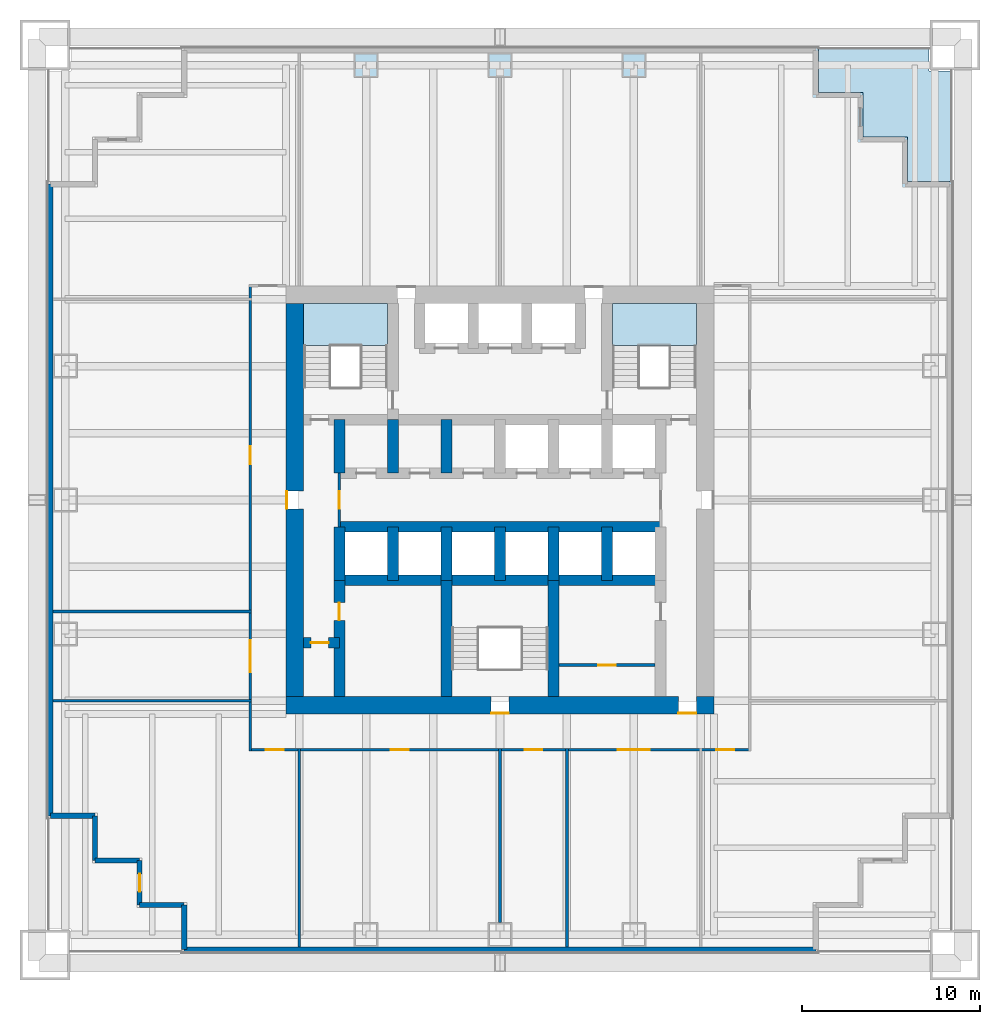
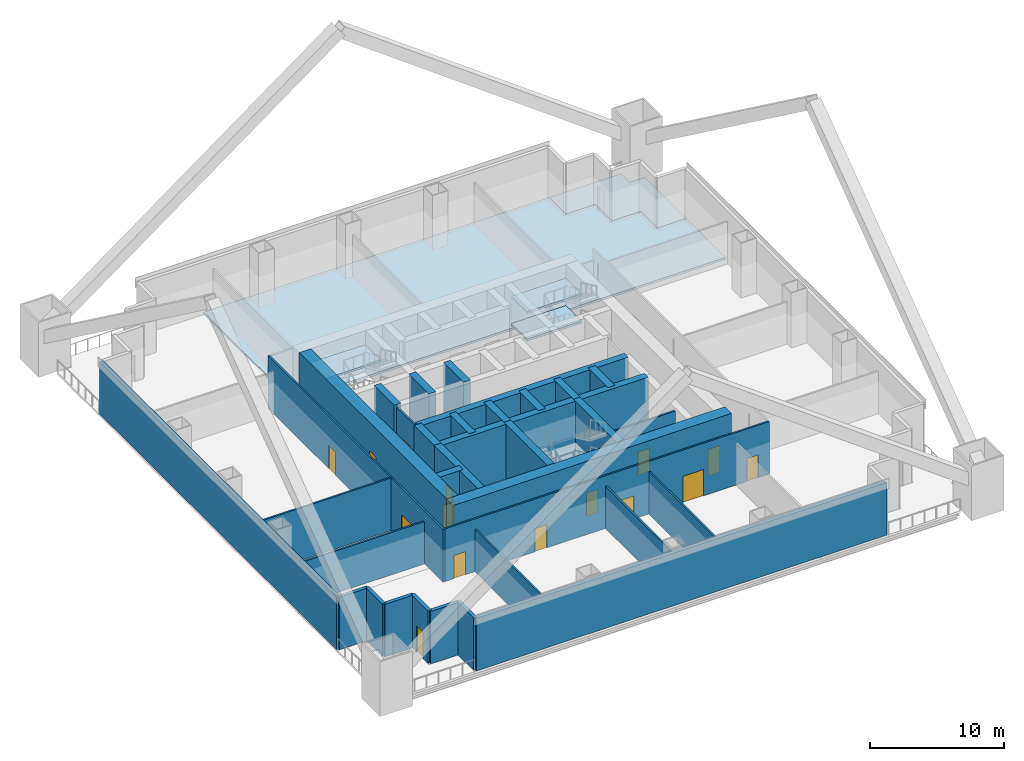
# One storey, part 2 of 6: 34 walls, 15 doors, 5 slabs, 15 openings, 2 elements without a shape of their own.
"""IFC4 building model written with IfcOpenShell, lengths in metres."""

from ifc_helpers import new_model, si_unit, direction, frame, frame_2d, origin, place, context, subcontext, project, spatial, polyline, rectangle, outline, extrude, material, layer, layer_set, type_object, element, fill, aggregate, save


model = new_model("IFC4")

# Units and contexts
model_context = context("Model", 3, precision=1e-05, world=origin(), true_north=direction((0.0, 1.0)))
body_context = subcontext(model_context, "Body", "Model", "MODEL_VIEW")
ifc_project = project(units=[si_unit("LENGTHUNIT", "METRE"), si_unit("AREAUNIT", "SQUARE_METRE"), si_unit("VOLUMEUNIT", "CUBIC_METRE"), si_unit("PLANEANGLEUNIT", "RADIAN"), si_unit("MASSUNIT", "GRAM", prefix="KILO")], contexts=[model_context])

# Site, building, storey
site_placement = place(None, origin())
site = spatial("IfcSite", under=ifc_project, at=site_placement, CompositionType="ELEMENT")
building_placement = place(site_placement, origin())
building = spatial("IfcBuilding", under=site, at=building_placement, Name="Tarangal Relay Tower", CompositionType="ELEMENT")
storey_placement = place(building_placement, frame((0.0, 0.0, 58.39990234375)))
storey = spatial("IfcBuildingStorey", under=building, at=storey_placement, Name="L11", CompositionType="ELEMENT", Elevation=58.39990234375)

# Slab
ifc_material_1 = material(Name="Concrete fc' 35 MPa", Category="concrete")
ifc_layer_1 = layer(ifc_material_1, 0.199951171875)
ifc_layer_set_1 = layer_set([ifc_layer_1], Name="Floor slab 200")
slab_type_1 = type_object("IfcSlabType", Name="Floor slab 200", PredefinedType="FLOOR", material=ifc_layer_set_1)
slab_1_placement = place(storey_placement, frame((0.0, 0.0, -0.199951171875)))
element("IfcSlab", 1, at=slab_1_placement, inside=storey, type_object=slab_type_1, Name="Floor slab FS2 L11 north bay", PredefinedType="FLOOR", context=body_context, shape_type="SweptSolid", body=[
    extrude(outline(polyline([(17.85009765625, 25.35009765625), (17.85009765625, 22.85009765625), (20.35009765625, 22.85009765625), (20.35009765625, 20.35009765625), (22.85009765625, 20.35009765625), (22.85009765625, 17.85009765625), (25.35009765625, 17.85009765625), (25.35009765625, 12.0), (-12.0, 12.0), (-12.0, 25.35009765625), (17.85009765625, 25.35009765625)])), origin(), (0.0, 0.0, 1.0), 0.199951171875),
])

# Stair, slab
ifc_material_2 = material(Name="Steel ASTM A992 stair flight", Category="steel")
stair_type = type_object("IfcStairType", Name="Core stair 1500", PredefinedType="HALF_TURN_STAIR", material=ifc_material_2)
stair_1_placement = place(storey_placement, origin())
stair_1 = element("IfcStair", 2, at=stair_1_placement, inside=storey, type_object=stair_type, Name="Stair ST-A L11", PredefinedType="HALF_TURN_STAIR")
ifc_layer_2 = layer(ifc_material_1, 0.199951171875)
ifc_layer_set_2 = layer_set([ifc_layer_2], Name="Stair landing 200")
slab_type_2 = type_object("IfcSlabType", Name="Stair landing 200", PredefinedType="LANDING", material=ifc_layer_set_2)
slab_2_placement = place(storey_placement, frame((0.0, 0.0, 3.550048828125)))
slab_2 = element("IfcSlab", 3, at=slab_2_placement, type_object=slab_type_2, Name="ST-A landing 4", PredefinedType="LANDING", context=body_context, shape_type="SweptSolid", body=[
    extrude(outline(polyline([(-11.0, 8.64501953125), (-6.300048828125, 8.64501953125), (-6.300048828125, 11.0), (-11.0, 11.0), (-11.0, 8.64501953125)])), origin(), (0.0, 0.0, 1.0), 0.199951171875),
])
aggregate(stair_1, [slab_2])

# Stair, slabs
stair_2_placement = place(storey_placement, origin())
stair_2 = element("IfcStair", 4, at=stair_2_placement, inside=storey, type_object=stair_type, Name="Stair ST-B L11", PredefinedType="HALF_TURN_STAIR")
slab_3_placement = place(storey_placement, frame((0.0, 0.0, 1.050048828125)))
slab_3 = element("IfcSlab", 5, at=slab_3_placement, type_object=slab_type_2, Name="ST-B landing 2", PredefinedType="LANDING", context=body_context, shape_type="SweptSolid", body=[
    extrude(outline(polyline([(6.300048828125, 8.64501953125), (11.0, 8.64501953125), (11.0, 11.0), (6.300048828125, 11.0), (6.300048828125, 8.64501953125)])), origin(), (0.0, 0.0, 1.0), 0.199951171875),
])
slab_4_placement = place(storey_placement, frame((0.0, 0.0, 3.550048828125)))
slab_4 = element("IfcSlab", 6, at=slab_4_placement, type_object=slab_type_2, Name="ST-B landing 4", PredefinedType="LANDING", context=body_context, shape_type="SweptSolid", body=[
    extrude(outline(polyline([(6.300048828125, 8.64501953125), (11.0, 8.64501953125), (11.0, 11.0), (6.300048828125, 11.0), (6.300048828125, 8.64501953125)])), origin(), (0.0, 0.0, 1.0), 0.199951171875),
])
aggregate(stair_2, [slab_3, slab_4])

# Slab
ifc_layer_3 = layer(ifc_material_1, 0.199951171875)
ifc_layer_set_3 = layer_set([ifc_layer_3], Name="Terrace slab 200")
slab_type_3 = type_object("IfcSlabType", Name="Terrace slab 200", PredefinedType="FLOOR", material=ifc_layer_set_3)
slab_5_placement = place(storey_placement, frame((0.0, 0.0, -0.199951171875)))
element("IfcSlab", 7, at=slab_5_placement, inside=storey, type_object=slab_type_3, Name="Corner terrace NE L11", PredefinedType="FLOOR", context=body_context, shape_type="SweptSolid", body=[
    extrude(outline(polyline([(17.85009765625, 25.35009765625), (17.85009765625, 22.85009765625), (20.35009765625, 22.85009765625), (20.35009765625, 20.35009765625), (22.85009765625, 20.35009765625), (22.85009765625, 17.85009765625), (25.35009765625, 17.85009765625), (25.35009765625, 24.050048828125), (24.050048828125, 24.050048828125), (24.050048828125, 25.35009765625), (17.85009765625, 25.35009765625)])), origin(), (0.0, 0.0, 1.0), 0.199951171875),
])

# Walls
ifc_material_3 = material(Name="Concrete fc' 60 MPa", Category="concrete")
ifc_layer_4 = layer(ifc_material_3, 0.60009765625)
ifc_layer_set_4 = layer_set([ifc_layer_4], Name="Core inner wall 600")
wall_type_1 = type_object("IfcWallType", Name="Core inner wall 600", PredefinedType="SHEAR", material=ifc_layer_set_4)
for number, where, z_axis, x_axis, name in (
    (8, (-9.0, -1.5, 0.0), (0.0, 0.0, 1.0), (1.0, 0.0, 0.0), "Core wall YM15 L11"),
    (9, (-9.0, -4.5, 0.0), (0.0, 0.0, 1.0), (1.0, 0.0, 0.0), "Core wall YM45 L11"),
):
    element("IfcWall", number, at=place(storey_placement, frame(where, z_axis=z_axis, x_axis=x_axis)), inside=storey, type_object=wall_type_1, Name=name, PredefinedType="SHEAR", context=body_context, shape_type="SweptSolid", body=[
        extrude(rectangle(XDim=18.0, YDim=0.60009765625, at=frame_2d((9.0, 0.0))), origin(), (0.0, 0.0, 1.0), 5.0),
    ])

# Wall, opening, door
wall_1_placement = place(storey_placement, frame((-11.0, -8.0, 0.0), z_axis=(0.0, 0.0, 1.0), x_axis=(1.0, 0.0, 0.0)))
wall_1 = element("IfcWall", 10, at=wall_1_placement, inside=storey, type_object=wall_type_1, Name="Core wall YM8 L11", PredefinedType="SHEAR", context=body_context, shape_type="SweptSolid", body=[
    extrude(rectangle(XDim=2.0, YDim=0.60009765625, at=frame_2d((1.0, 0.0))), origin(), (0.0, 0.0, 1.0), 5.0),
])
opening_1_placement = place(wall_1_placement, frame((0.39990234375, 0.0, 0.0)))
opening_1 = element("IfcOpeningElement", 11, at=opening_1_placement, cuts=wall_1, Name="Opening D1", PredefinedType="OPENING", context=body_context, shape_type="SweptSolid", body=[
    extrude(rectangle(XDim=1.0, YDim=2.10009765625, at=frame_2d((0.5, 1.050048828125))), frame((0.0, 0.31005859375, 0.0), z_axis=(0.0, -1.0, 0.0), x_axis=(1.0, 0.0, 0.0)), (0.0, 0.0, 1.0), 0.6201171875),
])
ifc_material_4 = material(Name="Hardwood door", Category="wood")
door_type_1 = type_object("IfcDoorType", Name="WC door 1000 x 2100", OperationType="SINGLE_SWING_LEFT", PredefinedType="DOOR", material=ifc_material_4)
door_1_placement = place(opening_1_placement, origin())
door_1 = element("IfcDoor", 12, at=door_1_placement, inside=storey, type_object=door_type_1, Name="Accessible WC door L11", OperationType="SINGLE_SWING_LEFT", OverallHeight=2.10009765625, OverallWidth=1.0, PredefinedType="DOOR", context=body_context, shape_type="SweptSolid", body=[
    extrude(rectangle(XDim=1.0, YDim=2.10009765625, at=frame_2d((0.5, 1.050048828125))), frame((0.0, 0.02490234375, 0.0), z_axis=(0.0, -1.0, 0.0), x_axis=(1.0, 0.0, 0.0)), (0.0, 0.0, 1.0), 0.050048828125),
])
fill(opening_1, door_1)

# Walls
for number, where, z_axis, x_axis, name in (
    (13, (-9.0, 1.5, 0.0), (0.0, 0.0, 1.0), (0.0, 1.0, 0.0), "Core wall XM9N L11"),
    (14, (-9.0, -4.5, 0.0), (0.0, 0.0, 1.0), (0.0, 1.0, 0.0), "Core wall XM9S L11"),
    (15, (-6.0, 1.5, 0.0), (0.0, 0.0, 1.0), (0.0, 1.0, 0.0), "Core wall XM6N L11"),
    (16, (-3.0, 1.5, 0.0), (0.0, 0.0, 1.0), (0.0, 1.0, 0.0), "Core wall XM3N L11"),
    (17, (-6.0, -4.5, 0.0), (0.0, 0.0, 1.0), (0.0, 1.0, 0.0), "Core wall XM6S L11"),
    (18, (-3.0, -4.5, 0.0), (0.0, 0.0, 1.0), (0.0, 1.0, 0.0), "Core wall XM3S L11"),
    (19, (0.0, -4.5, 0.0), (0.0, 0.0, 1.0), (0.0, 1.0, 0.0), "Core wall X0S L11"),
    (20, (3.0, -4.5, 0.0), (0.0, 0.0, 1.0), (0.0, 1.0, 0.0), "Core wall X3S L11"),
    (21, (6.0, -4.5, 0.0), (0.0, 0.0, 1.0), (0.0, 1.0, 0.0), "Core wall X6S L11"),
):
    element("IfcWall", number, at=place(storey_placement, frame(where, z_axis=z_axis, x_axis=x_axis)), inside=storey, type_object=wall_type_1, Name=name, PredefinedType="SHEAR", context=body_context, shape_type="SweptSolid", body=[
        extrude(rectangle(XDim=3.0, YDim=0.60009765625, at=frame_2d((1.5, 0.0))), origin(), (0.0, 0.0, 1.0), 5.0),
    ])

# Wall, opening, door
wall_2_placement = place(storey_placement, frame((-9.0, -11.0, 0.0), z_axis=(0.0, 0.0, 1.0), x_axis=(0.0, 1.0, 0.0)))
wall_2 = element("IfcWall", 22, at=wall_2_placement, inside=storey, type_object=wall_type_1, Name="Core wall XM9W L11", PredefinedType="SHEAR", context=body_context, shape_type="SweptSolid", body=[
    extrude(rectangle(XDim=6.5, YDim=0.60009765625, at=frame_2d((3.25, 0.0))), origin(), (0.0, 0.0, 1.0), 5.0),
])
opening_2_placement = place(wall_2_placement, frame((4.25, 0.0, 0.0)))
opening_2 = element("IfcOpeningElement", 23, at=opening_2_placement, cuts=wall_2, Name="Opening D1", PredefinedType="OPENING", context=body_context, shape_type="SweptSolid", body=[
    extrude(rectangle(XDim=1.0, YDim=2.10009765625, at=frame_2d((0.5, 1.050048828125))), frame((0.0, 0.31005859375, 0.0), z_axis=(0.0, -1.0, 0.0), x_axis=(1.0, 0.0, 0.0)), (0.0, 0.0, 1.0), 0.6201171875),
])
door_2_placement = place(opening_2_placement, origin())
door_2 = element("IfcDoor", 24, at=door_2_placement, inside=storey, type_object=door_type_1, Name="Male WC door L11", OperationType="SINGLE_SWING_LEFT", OverallHeight=2.10009765625, OverallWidth=1.0, PredefinedType="DOOR", context=body_context, shape_type="SweptSolid", body=[
    extrude(rectangle(XDim=1.0, YDim=2.10009765625, at=frame_2d((0.5, 1.050048828125))), frame((0.0, 0.02490234375, 0.0), z_axis=(0.0, -1.0, 0.0), x_axis=(1.0, 0.0, 0.0)), (0.0, 0.0, 1.0), 0.050048828125),
])
fill(opening_2, door_2)

# Walls
for number, where, z_axis, x_axis, name in (
    (25, (-3.0, -11.0, 0.0), (0.0, 0.0, 1.0), (0.0, 1.0, 0.0), "Core wall XM3W L11"),
    (26, (3.0, -11.0, 0.0), (0.0, 0.0, 1.0), (0.0, 1.0, 0.0), "Core wall X3W L11"),
):
    element("IfcWall", number, at=place(storey_placement, frame(where, z_axis=z_axis, x_axis=x_axis)), inside=storey, type_object=wall_type_1, Name=name, PredefinedType="SHEAR", context=body_context, shape_type="SweptSolid", body=[
        extrude(rectangle(XDim=6.5, YDim=0.60009765625, at=frame_2d((3.25, 0.0))), origin(), (0.0, 0.0, 1.0), 5.0),
    ])

# Wall, openings, doors
ifc_layer_5 = layer(ifc_material_3, 1.0)
ifc_layer_set_5 = layer_set([ifc_layer_5], Name="Core wall 1000")
wall_type_2 = type_object("IfcWallType", Name="Core wall 1000", PredefinedType="SHEAR", material=ifc_layer_set_5)
wall_3_placement = place(storey_placement, frame((12.0, -11.5, 0.0), z_axis=(0.0, 0.0, 1.0), x_axis=(-1.0, 0.0, 0.0)))
wall_3 = element("IfcWall", 27, at=wall_3_placement, inside=storey, type_object=wall_type_2, Name="Core wall S L11", PredefinedType="SHEAR", context=body_context, shape_type="SweptSolid", body=[
    extrude(rectangle(XDim=24.0, YDim=1.0, at=frame_2d((12.0, 0.0))), origin(), (0.0, 0.0, 1.0), 5.0),
])
opening_3_placement = place(wall_3_placement, frame((11.5, 0.0, 0.0)))
opening_3 = element("IfcOpeningElement", 28, at=opening_3_placement, cuts=wall_3, Name="Opening FD1", PredefinedType="OPENING", context=body_context, shape_type="SweptSolid", body=[
    extrude(rectangle(XDim=1.0, YDim=2.10009765625, at=frame_2d((0.5, 1.050048828125))), frame((0.0, 0.510009765625, 0.0), z_axis=(0.0, -1.0, 0.0), x_axis=(1.0, 0.0, 0.0)), (0.0, 0.0, 1.0), 1.02001953125),
])
opening_4_placement = place(wall_3_placement, frame((1.0, 0.0, 0.0)))
opening_4 = element("IfcOpeningElement", 29, at=opening_4_placement, cuts=wall_3, Name="Opening FD3", PredefinedType="OPENING", context=body_context, shape_type="SweptSolid", body=[
    extrude(rectangle(XDim=1.0, YDim=2.39990234375, at=frame_2d((0.5, 1.199951171875))), frame((0.0, 0.510009765625, 0.0), z_axis=(0.0, -1.0, 0.0), x_axis=(1.0, 0.0, 0.0)), (0.0, 0.0, 1.0), 1.02001953125),
])
ifc_material_5 = material(Name="Steel door with hardwood frame", Category="steel")
door_type_2 = type_object("IfcDoorType", Name="Fire door 1000 x 2100", OperationType="SINGLE_SWING_LEFT", PredefinedType="DOOR", material=ifc_material_5)
door_3_placement = place(opening_3_placement, origin())
door_3 = element("IfcDoor", 30, at=door_3_placement, inside=storey, type_object=door_type_2, Name="Stair ST-C door L11", OperationType="SINGLE_SWING_LEFT", OverallHeight=2.10009765625, OverallWidth=1.0, PredefinedType="DOOR", context=body_context, shape_type="SweptSolid", body=[
    extrude(rectangle(XDim=1.0, YDim=2.10009765625, at=frame_2d((0.5, 1.050048828125))), frame((0.0, 0.48486328125, 0.0), z_axis=(0.0, -1.0, 0.0), x_axis=(1.0, 0.0, 0.0)), (0.0, 0.0, 1.0), 0.050048828125),
])
fill(opening_3, door_3)
door_type_3 = type_object("IfcDoorType", Name="Fire door 1000 x 2400 core entry", OperationType="SINGLE_SWING_RIGHT", PredefinedType="DOOR", material=ifc_material_5)
door_4_placement = place(opening_4_placement, origin())
door_4 = element("IfcDoor", 31, at=door_4_placement, inside=storey, type_object=door_type_3, Name="Core entry door south east L11", OperationType="SINGLE_SWING_RIGHT", OverallHeight=2.39990234375, OverallWidth=1.0, PredefinedType="DOOR", context=body_context, shape_type="SweptSolid", body=[
    extrude(rectangle(XDim=1.0, YDim=2.39990234375, at=frame_2d((0.5, 1.199951171875))), frame((0.0, 0.48486328125, 0.0), z_axis=(0.0, -1.0, 0.0), x_axis=(1.0, 0.0, 0.0)), (0.0, 0.0, 1.0), 0.050048828125),
])
fill(opening_4, door_4)

# Wall, opening, door
wall_4_placement = place(storey_placement, frame((-11.5, -11.0, 0.0), z_axis=(0.0, 0.0, 1.0), x_axis=(0.0, 1.0, 0.0)))
wall_4 = element("IfcWall", 32, at=wall_4_placement, inside=storey, type_object=wall_type_2, Name="Core wall W L11", PredefinedType="SHEAR", context=body_context, shape_type="SweptSolid", body=[
    extrude(rectangle(XDim=22.0, YDim=1.0, at=frame_2d((11.0, 0.0))), origin(), (0.0, 0.0, 1.0), 5.0),
])
opening_5_placement = place(wall_4_placement, frame((10.5, 0.0, 0.0)))
opening_5 = element("IfcOpeningElement", 33, at=opening_5_placement, cuts=wall_4, Name="Opening FD3", PredefinedType="OPENING", context=body_context, shape_type="SweptSolid", body=[
    extrude(rectangle(XDim=1.0, YDim=2.39990234375, at=frame_2d((0.5, 1.199951171875))), frame((0.0, 0.510009765625, 0.0), z_axis=(0.0, -1.0, 0.0), x_axis=(1.0, 0.0, 0.0)), (0.0, 0.0, 1.0), 1.02001953125),
])
door_5_placement = place(opening_5_placement, origin())
door_5 = element("IfcDoor", 34, at=door_5_placement, inside=storey, type_object=door_type_3, Name="Core entry door west L11", OperationType="SINGLE_SWING_RIGHT", OverallHeight=2.39990234375, OverallWidth=1.0, PredefinedType="DOOR", context=body_context, shape_type="SweptSolid", body=[
    extrude(rectangle(XDim=1.0, YDim=2.39990234375, at=frame_2d((0.5, 1.199951171875))), frame((0.0, 0.48486328125, 0.0), z_axis=(0.0, -1.0, 0.0), x_axis=(1.0, 0.0, 0.0)), (0.0, 0.0, 1.0), 0.050048828125),
])
fill(opening_5, door_5)

# Walls
ifc_material_6 = material(Name="Insulated precast concrete fc' 40 MPa", Category="concrete")
ifc_layer_6 = layer(ifc_material_6, 0.300048828125)
ifc_layer_set_6 = layer_set([ifc_layer_6], Name="Insulated precast concrete fc' 40 MPa")
wall_type_3 = type_object("IfcWallType", Name="Facade wall precast 300", PredefinedType="SOLIDWALL", material=ifc_layer_set_6)
wall_5_placement = place(storey_placement, frame((17.699951171875, -25.199951171875, 0.0), z_axis=(0.0, 0.0, 1.0), x_axis=(-1.0, 0.0, 0.0)))
element("IfcWall", 35, at=wall_5_placement, inside=storey, type_object=wall_type_3, Name="Facade wall S facade L11", PredefinedType="SOLIDWALL", context=body_context, shape_type="SweptSolid", body=[
    extrude(rectangle(XDim=35.39990234375, YDim=0.300048828125, at=frame_2d((17.699951171875, 0.0))), origin(), (0.0, 0.0, 1.0), 4.800048828125),
])
for number, where, z_axis, x_axis, name in (
    (36, (-17.699951171875, -25.199951171875, 0.0), (0.0, 0.0, 1.0), (0.0, 1.0, 0.0), "Facade wall S facade L11"),
    (37, (-17.699951171875, -22.699951171875, 0.0), (0.0, 0.0, 1.0), (-1.0, 0.0, 0.0), "Facade wall S facade L11"),
):
    element("IfcWall", number, at=place(storey_placement, frame(where, z_axis=z_axis, x_axis=x_axis)), inside=storey, type_object=wall_type_3, Name=name, PredefinedType="SOLIDWALL", context=body_context, shape_type="SweptSolid", body=[
        extrude(rectangle(XDim=2.5, YDim=0.300048828125, at=frame_2d((1.25, 0.0))), origin(), (0.0, 0.0, 1.0), 4.800048828125),
    ])

# Wall, opening, door
wall_6_placement = place(storey_placement, frame((-20.199951171875, -22.699951171875, 0.0), z_axis=(0.0, 0.0, 1.0), x_axis=(0.0, 1.0, 0.0)))
wall_6 = element("IfcWall", 38, at=wall_6_placement, inside=storey, type_object=wall_type_3, Name="Facade wall S facade L11", PredefinedType="SOLIDWALL", context=body_context, shape_type="SweptSolid", body=[
    extrude(rectangle(XDim=2.5, YDim=0.300048828125, at=frame_2d((1.25, 0.0))), origin(), (0.0, 0.0, 1.0), 4.800048828125),
])
opening_6_placement = place(wall_6_placement, frame((0.75, 0.0, 0.0)))
opening_6 = element("IfcOpeningElement", 39, at=opening_6_placement, cuts=wall_6, Name="Opening TD1", PredefinedType="OPENING", context=body_context, shape_type="SweptSolid", body=[
    extrude(rectangle(XDim=1.0, YDim=2.39990234375, at=frame_2d((0.5, 1.199951171875))), frame((0.0, 0.159912109375, 0.0), z_axis=(0.0, -1.0, 0.0), x_axis=(1.0, 0.0, 0.0)), (0.0, 0.0, 1.0), 0.320068359375),
])
ifc_material_7 = material(Name="Aluminium glazed door", Category="aluminium")
door_type_4 = type_object("IfcDoorType", Name="Terrace door 1000 x 2400", OperationType="SINGLE_SWING_RIGHT", PredefinedType="DOOR", material=ifc_material_7)
door_6_placement = place(opening_6_placement, origin())
door_6 = element("IfcDoor", 40, at=door_6_placement, inside=storey, type_object=door_type_4, Name="Terrace door TD1 SW L11", OperationType="SINGLE_SWING_RIGHT", OverallHeight=2.39990234375, OverallWidth=1.0, PredefinedType="DOOR", context=body_context, shape_type="SweptSolid", body=[
    extrude(rectangle(XDim=1.0, YDim=2.39990234375, at=frame_2d((0.5, 1.199951171875))), frame((0.0, 0.02490234375, 0.0), z_axis=(0.0, -1.0, 0.0), x_axis=(1.0, 0.0, 0.0)), (0.0, 0.0, 1.0), 0.050048828125),
])
fill(opening_6, door_6)

# Walls
for number, where, z_axis, x_axis, name in (
    (41, (-20.199951171875, -20.199951171875, 0.0), (0.0, 0.0, 1.0), (-1.0, 0.0, 0.0), "Facade wall S facade L11"),
    (42, (-22.699951171875, -20.199951171875, 0.0), (0.0, 0.0, 1.0), (0.0, 1.0, 0.0), "Facade wall S facade L11"),
    (43, (-22.699951171875, -17.699951171875, 0.0), (0.0, 0.0, 1.0), (-1.0, 0.0, 0.0), "Facade wall S facade L11"),
):
    element("IfcWall", number, at=place(storey_placement, frame(where, z_axis=z_axis, x_axis=x_axis)), inside=storey, type_object=wall_type_3, Name=name, PredefinedType="SOLIDWALL", context=body_context, shape_type="SweptSolid", body=[
        extrude(rectangle(XDim=2.5, YDim=0.300048828125, at=frame_2d((1.25, 0.0))), origin(), (0.0, 0.0, 1.0), 4.800048828125),
    ])
wall_7_placement = place(storey_placement, frame((-25.199951171875, -17.699951171875, 0.0), z_axis=(0.0, 0.0, 1.0), x_axis=(0.0, 1.0, 0.0)))
element("IfcWall", 44, at=wall_7_placement, inside=storey, type_object=wall_type_3, Name="Facade wall W facade L11", PredefinedType="SOLIDWALL", context=body_context, shape_type="SweptSolid", body=[
    extrude(rectangle(XDim=35.39990234375, YDim=0.300048828125, at=frame_2d((17.699951171875, 0.0))), origin(), (0.0, 0.0, 1.0), 4.800048828125),
])

# Wall, openings, doors
ifc_material_8 = material(Name="Gypsum board on steel studs", Category="steel")
ifc_layer_7 = layer(ifc_material_8, 0.14990234375)
ifc_layer_set_7 = layer_set([ifc_layer_7], Name="Partition 150")
wall_type_4 = type_object("IfcWallType", Name="Partition 150", PredefinedType="PARTITIONING", material=ifc_layer_set_7)
wall_8_placement = place(storey_placement, frame((-14.074951171875, -14.0, 0.0), z_axis=(0.0, 0.0, 1.0), x_axis=(1.0, 0.0, 0.0)))
wall_8 = element("IfcWall", 45, at=wall_8_placement, inside=storey, type_object=wall_type_4, Name="Partition PT1 L11", PredefinedType="PARTITIONING", context=body_context, shape_type="SweptSolid", body=[
    extrude(rectangle(XDim=28.14990234375, YDim=0.14990234375, at=frame_2d((14.074951171875, 0.0))), origin(), (0.0, 0.0, 1.0), 4.800048828125),
])
opening_7_placement = place(wall_8_placement, frame((20.675048828125, 0.0, 0.0)))
opening_7 = element("IfcOpeningElement", 46, at=opening_7_placement, cuts=wall_8, Name="Opening DD1", PredefinedType="OPENING", context=body_context, shape_type="SweptSolid", body=[
    extrude(rectangle(XDim=1.800048828125, YDim=2.39990234375, at=frame_2d((0.89990234375, 1.199951171875))), frame((0.0, 0.0849609375, 0.0), z_axis=(0.0, -1.0, 0.0), x_axis=(1.0, 0.0, 0.0)), (0.0, 0.0, 1.0), 0.169921875),
])
opening_8_placement = place(wall_8_placement, frame((15.449951171875, 0.0, 0.0)))
opening_8 = element("IfcOpeningElement", 47, at=opening_8_placement, cuts=wall_8, Name="Opening D2", PredefinedType="OPENING", context=body_context, shape_type="SweptSolid", body=[
    extrude(rectangle(XDim=1.0, YDim=2.10009765625, at=frame_2d((0.5, 1.050048828125))), frame((0.0, 0.0849609375, 0.0), z_axis=(0.0, -1.0, 0.0), x_axis=(1.0, 0.0, 0.0)), (0.0, 0.0, 1.0), 0.169921875),
])
opening_9_placement = place(wall_8_placement, frame((7.949951171875, 0.0, 0.0)))
opening_9 = element("IfcOpeningElement", 48, at=opening_9_placement, cuts=wall_8, Name="Opening D2", PredefinedType="OPENING", context=body_context, shape_type="SweptSolid", body=[
    extrude(rectangle(XDim=1.0, YDim=2.10009765625, at=frame_2d((0.5, 1.050048828125))), frame((0.0, 0.0849609375, 0.0), z_axis=(0.0, -1.0, 0.0), x_axis=(1.0, 0.0, 0.0)), (0.0, 0.0, 1.0), 0.169921875),
])
opening_10_placement = place(wall_8_placement, frame((26.199951171875, 0.0, 0.0)))
opening_10 = element("IfcOpeningElement", 49, at=opening_10_placement, cuts=wall_8, Name="Opening D2", PredefinedType="OPENING", context=body_context, shape_type="SweptSolid", body=[
    extrude(rectangle(XDim=1.0, YDim=2.10009765625, at=frame_2d((0.5, 1.050048828125))), frame((0.0, 0.0849609375, 0.0), z_axis=(0.0, -1.0, 0.0), x_axis=(1.0, 0.0, 0.0)), (0.0, 0.0, 1.0), 0.169921875),
])
opening_11_placement = place(wall_8_placement, frame((0.949951171875, 0.0, 0.0)))
opening_11 = element("IfcOpeningElement", 50, at=opening_11_placement, cuts=wall_8, Name="Opening D2", PredefinedType="OPENING", context=body_context, shape_type="SweptSolid", body=[
    extrude(rectangle(XDim=1.0, YDim=2.10009765625, at=frame_2d((0.5, 1.050048828125))), frame((0.0, 0.0849609375, 0.0), z_axis=(0.0, -1.0, 0.0), x_axis=(1.0, 0.0, 0.0)), (0.0, 0.0, 1.0), 0.169921875),
])
door_type_5 = type_object("IfcDoorType", Name="Door 1000 x 2100", OperationType="SINGLE_SWING_LEFT", PredefinedType="DOOR", material=ifc_material_4)
door_7_placement = place(opening_8_placement, origin())
door_7 = element("IfcDoor", 51, at=door_7_placement, inside=storey, type_object=door_type_5, Name="Door D2 to customer meeting room L11-07", OperationType="SINGLE_SWING_LEFT", OverallHeight=2.10009765625, OverallWidth=1.0, PredefinedType="DOOR", context=body_context, shape_type="SweptSolid", body=[
    extrude(rectangle(XDim=1.0, YDim=2.10009765625, at=frame_2d((0.5, 1.050048828125))), frame((0.0, 0.02490234375, 0.0), z_axis=(0.0, -1.0, 0.0), x_axis=(1.0, 0.0, 0.0)), (0.0, 0.0, 1.0), 0.050048828125),
])
fill(opening_8, door_7)
door_8_placement = place(opening_9_placement, origin())
door_8 = element("IfcDoor", 52, at=door_8_placement, inside=storey, type_object=door_type_5, Name="Door D2 to customer build and test room L11-08", OperationType="SINGLE_SWING_LEFT", OverallHeight=2.10009765625, OverallWidth=1.0, PredefinedType="DOOR", context=body_context, shape_type="SweptSolid", body=[
    extrude(rectangle(XDim=1.0, YDim=2.10009765625, at=frame_2d((0.5, 1.050048828125))), frame((0.0, 0.02490234375, 0.0), z_axis=(0.0, -1.0, 0.0), x_axis=(1.0, 0.0, 0.0)), (0.0, 0.0, 1.0), 0.050048828125),
])
fill(opening_9, door_8)
door_9_placement = place(opening_10_placement, origin())
door_9 = element("IfcDoor", 53, at=door_9_placement, inside=storey, type_object=door_type_5, Name="Door D2 to engineering office L11-12", OperationType="SINGLE_SWING_LEFT", OverallHeight=2.10009765625, OverallWidth=1.0, PredefinedType="DOOR", context=body_context, shape_type="SweptSolid", body=[
    extrude(rectangle(XDim=1.0, YDim=2.10009765625, at=frame_2d((0.5, 1.050048828125))), frame((0.0, 0.02490234375, 0.0), z_axis=(0.0, -1.0, 0.0), x_axis=(1.0, 0.0, 0.0)), (0.0, 0.0, 1.0), 0.050048828125),
])
fill(opening_10, door_9)
door_10_placement = place(opening_11_placement, origin())
door_10 = element("IfcDoor", 54, at=door_10_placement, inside=storey, type_object=door_type_5, Name="Door D2 to security office L11-13", OperationType="SINGLE_SWING_LEFT", OverallHeight=2.10009765625, OverallWidth=1.0, PredefinedType="DOOR", context=body_context, shape_type="SweptSolid", body=[
    extrude(rectangle(XDim=1.0, YDim=2.10009765625, at=frame_2d((0.5, 1.050048828125))), frame((0.0, 0.02490234375, 0.0), z_axis=(0.0, -1.0, 0.0), x_axis=(1.0, 0.0, 0.0)), (0.0, 0.0, 1.0), 0.050048828125),
])
fill(opening_11, door_10)
door_type_6 = type_object("IfcDoorType", Name="Equipment double door 1800 x 2400", OperationType="DOUBLE_DOOR_SINGLE_SWING", PredefinedType="DOOR", material=ifc_material_5)
door_11_placement = place(opening_7_placement, origin())
door_11 = element("IfcDoor", 55, at=door_11_placement, inside=storey, type_object=door_type_6, Name="Door DD1 to electrical room L11-06", OperationType="DOUBLE_DOOR_SINGLE_SWING", OverallHeight=2.39990234375, OverallWidth=1.800048828125, PredefinedType="DOOR", context=body_context, shape_type="SweptSolid", body=[
    extrude(rectangle(XDim=1.800048828125, YDim=2.39990234375, at=frame_2d((0.89990234375, 1.199951171875))), frame((0.0, 0.02490234375, 0.0), z_axis=(0.0, -1.0, 0.0), x_axis=(1.0, 0.0, 0.0)), (0.0, 0.0, 1.0), 0.050048828125),
])
fill(opening_7, door_11)

# Walls
wall_9_placement = place(storey_placement, frame((-25.050048828125, -11.25, 0.0), z_axis=(0.0, 0.0, 1.0), x_axis=(1.0, 0.0, 0.0)))
element("IfcWall", 56, at=wall_9_placement, inside=storey, type_object=wall_type_4, Name="Partition PT1 L11", PredefinedType="PARTITIONING", context=body_context, shape_type="SweptSolid", body=[
    extrude(rectangle(XDim=11.125, YDim=0.14990234375, at=frame_2d((5.5625, 0.0))), origin(), (0.0, 0.0, 1.0), 3.852783203125),
])
wall_10_placement = place(storey_placement, frame((-25.050048828125, -6.25, 0.0), z_axis=(0.0, 0.0, 1.0), x_axis=(1.0, 0.0, 0.0)))
element("IfcWall", 57, at=wall_10_placement, inside=storey, type_object=wall_type_4, Name="Partition PT1 L11", PredefinedType="PARTITIONING", context=body_context, shape_type="SweptSolid", body=[
    extrude(rectangle(XDim=11.125, YDim=0.14990234375, at=frame_2d((5.5625, 0.0))), origin(), (0.0, 0.0, 1.0), 4.800048828125),
])

# Wall, openings, doors
wall_11_placement = place(storey_placement, frame((-14.0, -14.074951171875, 0.0), z_axis=(0.0, 0.0, 1.0), x_axis=(0.0, 1.0, 0.0)))
wall_11 = element("IfcWall", 58, at=wall_11_placement, inside=storey, type_object=wall_type_4, Name="Partition PT1 L11", PredefinedType="PARTITIONING", context=body_context, shape_type="SweptSolid", body=[
    extrude(rectangle(XDim=26.14990234375, YDim=0.14990234375, at=frame_2d((13.074951171875, 0.0))), origin(), (0.0, 0.0, 1.0), 4.800048828125),
])
opening_12_placement = place(wall_11_placement, frame((4.425048828125, 0.0, 0.0)))
opening_12 = element("IfcOpeningElement", 59, at=opening_12_placement, cuts=wall_11, Name="Opening DD1", PredefinedType="OPENING", context=body_context, shape_type="SweptSolid", body=[
    extrude(rectangle(XDim=1.800048828125, YDim=2.39990234375, at=frame_2d((0.89990234375, 1.199951171875))), frame((0.0, 0.0849609375, 0.0), z_axis=(0.0, -1.0, 0.0), x_axis=(1.0, 0.0, 0.0)), (0.0, 0.0, 1.0), 0.169921875),
])
opening_13_placement = place(wall_11_placement, frame((16.074951171875, 0.0, 0.0)))
opening_13 = element("IfcOpeningElement", 60, at=opening_13_placement, cuts=wall_11, Name="Opening D2", PredefinedType="OPENING", context=body_context, shape_type="SweptSolid", body=[
    extrude(rectangle(XDim=1.0, YDim=2.10009765625, at=frame_2d((0.5, 1.050048828125))), frame((0.0, 0.0849609375, 0.0), z_axis=(0.0, -1.0, 0.0), x_axis=(1.0, 0.0, 0.0)), (0.0, 0.0, 1.0), 0.169921875),
])
door_12_placement = place(opening_13_placement, origin())
door_12 = element("IfcDoor", 61, at=door_12_placement, inside=storey, type_object=door_type_5, Name="Door D2 to customer office L11-10", OperationType="SINGLE_SWING_LEFT", OverallHeight=2.10009765625, OverallWidth=1.0, PredefinedType="DOOR", context=body_context, shape_type="SweptSolid", body=[
    extrude(rectangle(XDim=1.0, YDim=2.10009765625, at=frame_2d((0.5, 1.050048828125))), frame((0.0, 0.02490234375, 0.0), z_axis=(0.0, -1.0, 0.0), x_axis=(1.0, 0.0, 0.0)), (0.0, 0.0, 1.0), 0.050048828125),
])
fill(opening_13, door_12)
door_13_placement = place(opening_12_placement, origin())
door_13 = element("IfcDoor", 62, at=door_13_placement, inside=storey, type_object=door_type_6, Name="Door DD1 to gas suppression cylinder room L11-09", OperationType="DOUBLE_DOOR_SINGLE_SWING", OverallHeight=2.39990234375, OverallWidth=1.800048828125, PredefinedType="DOOR", context=body_context, shape_type="SweptSolid", body=[
    extrude(rectangle(XDim=1.800048828125, YDim=2.39990234375, at=frame_2d((0.89990234375, 1.199951171875))), frame((0.0, 0.02490234375, 0.0), z_axis=(0.0, -1.0, 0.0), x_axis=(1.0, 0.0, 0.0)), (0.0, 0.0, 1.0), 0.050048828125),
])
fill(opening_12, door_13)

# Walls
wall_12_placement = place(storey_placement, frame((-11.25, -25.050048828125, 0.0), z_axis=(0.0, 0.0, 1.0), x_axis=(0.0, 1.0, 0.0)))
element("IfcWall", 63, at=wall_12_placement, inside=storey, type_object=wall_type_4, Name="Partition PT1 L11", PredefinedType="PARTITIONING", context=body_context, shape_type="SweptSolid", body=[
    extrude(rectangle(XDim=11.125, YDim=0.14990234375, at=frame_2d((5.5625, 0.0))), origin(), (0.0, 0.0, 1.0), 3.852783203125),
])
wall_13_placement = place(storey_placement, frame((0.0, -23.68994140625, 0.0), z_axis=(0.0, 0.0, 1.0), x_axis=(0.0, 1.0, 0.0)))
element("IfcWall", 64, at=wall_13_placement, inside=storey, type_object=wall_type_4, Name="Partition PT1 L11", PredefinedType="PARTITIONING", context=body_context, shape_type="SweptSolid", body=[
    extrude(rectangle(XDim=9.764892578125, YDim=0.14990234375, at=frame_2d((4.88232421875, 0.0))), origin(), (0.0, 0.0, 1.0), 3.852783203125),
])
wall_14_placement = place(storey_placement, frame((3.75, -25.050048828125, 0.0), z_axis=(0.0, 0.0, 1.0), x_axis=(0.0, 1.0, 0.0)))
element("IfcWall", 65, at=wall_14_placement, inside=storey, type_object=wall_type_4, Name="Partition PT1 L11", PredefinedType="PARTITIONING", context=body_context, shape_type="SweptSolid", body=[
    extrude(rectangle(XDim=11.125, YDim=0.14990234375, at=frame_2d((5.5625, 0.0))), origin(), (0.0, 0.0, 1.0), 3.852783203125),
])

# Wall, opening, door
wall_15_placement = place(storey_placement, frame((3.300048828125, -9.25, 0.0), z_axis=(0.0, 0.0, 1.0), x_axis=(1.0, 0.0, 0.0)))
wall_15 = element("IfcWall", 66, at=wall_15_placement, inside=storey, type_object=wall_type_4, Name="Partition PT1 L11", PredefinedType="PARTITIONING", context=body_context, shape_type="SweptSolid", body=[
    extrude(rectangle(XDim=5.39990234375, YDim=0.14990234375, at=frame_2d((2.699951171875, 0.0))), origin(), (0.0, 0.0, 1.0), 4.75),
])
opening_14_placement = place(wall_15_placement, frame((2.199951171875, 0.0, 0.0)))
opening_14 = element("IfcOpeningElement", 67, at=opening_14_placement, cuts=wall_15, Name="Opening D1", PredefinedType="OPENING", context=body_context, shape_type="SweptSolid", body=[
    extrude(rectangle(XDim=1.0, YDim=2.10009765625, at=frame_2d((0.5, 1.050048828125))), frame((0.0, 0.0849609375, 0.0), z_axis=(0.0, -1.0, 0.0), x_axis=(1.0, 0.0, 0.0)), (0.0, 0.0, 1.0), 0.169921875),
])
door_14_placement = place(opening_14_placement, origin())
door_14 = element("IfcDoor", 68, at=door_14_placement, inside=storey, type_object=door_type_1, Name="Door D1 to female shower and changing room L11-C10B", OperationType="SINGLE_SWING_LEFT", OverallHeight=2.10009765625, OverallWidth=1.0, PredefinedType="DOOR", context=body_context, shape_type="SweptSolid", body=[
    extrude(rectangle(XDim=1.0, YDim=2.10009765625, at=frame_2d((0.5, 1.050048828125))), frame((0.0, 0.02490234375, 0.0), z_axis=(0.0, -1.0, 0.0), x_axis=(1.0, 0.0, 0.0)), (0.0, 0.0, 1.0), 0.050048828125),
])
fill(opening_14, door_14)

wall_16_placement = place(storey_placement, frame((-9.0, -1.5, 0.0), z_axis=(0.0, 0.0, 1.0), x_axis=(0.0, 1.0, 0.0)))
wall_16 = element("IfcWall", 69, at=wall_16_placement, inside=storey, type_object=wall_type_4, Name="Partition PT1 L11", PredefinedType="PARTITIONING", context=body_context, shape_type="SweptSolid", body=[
    extrude(rectangle(XDim=3.0, YDim=0.14990234375, at=frame_2d((1.5, 0.0))), origin(), (0.0, 0.0, 1.0), 4.75),
])
opening_15_placement = place(wall_16_placement, frame((1.0, 0.0, 0.0)))
opening_15 = element("IfcOpeningElement", 70, at=opening_15_placement, cuts=wall_16, Name="Opening FD3", PredefinedType="OPENING", context=body_context, shape_type="SweptSolid", body=[
    extrude(rectangle(XDim=1.0, YDim=2.39990234375, at=frame_2d((0.5, 1.199951171875))), frame((0.0, 0.0849609375, 0.0), z_axis=(0.0, -1.0, 0.0), x_axis=(1.0, 0.0, 0.0)), (0.0, 0.0, 1.0), 0.169921875),
])
door_15_placement = place(opening_15_placement, origin())
door_15 = element("IfcDoor", 71, at=door_15_placement, inside=storey, type_object=door_type_3, Name="Lift lobby door FD3 to the west corridor L11", OperationType="SINGLE_SWING_RIGHT", OverallHeight=2.39990234375, OverallWidth=1.0, PredefinedType="DOOR", context=body_context, shape_type="SweptSolid", body=[
    extrude(rectangle(XDim=1.0, YDim=2.39990234375, at=frame_2d((0.5, 1.199951171875))), frame((0.0, 0.02490234375, 0.0), z_axis=(0.0, -1.0, 0.0), x_axis=(1.0, 0.0, 0.0)), (0.0, 0.0, 1.0), 0.050048828125),
])
fill(opening_15, door_15)

save(model, "model.ifc")
